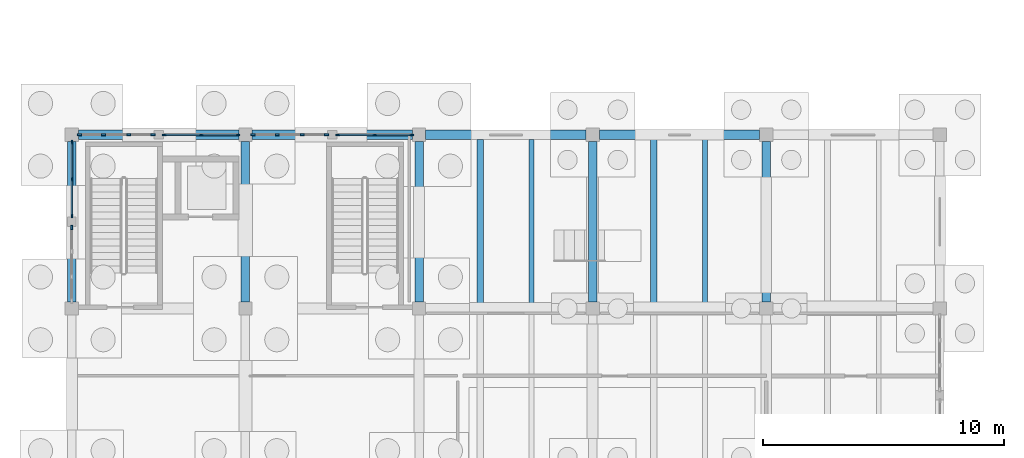
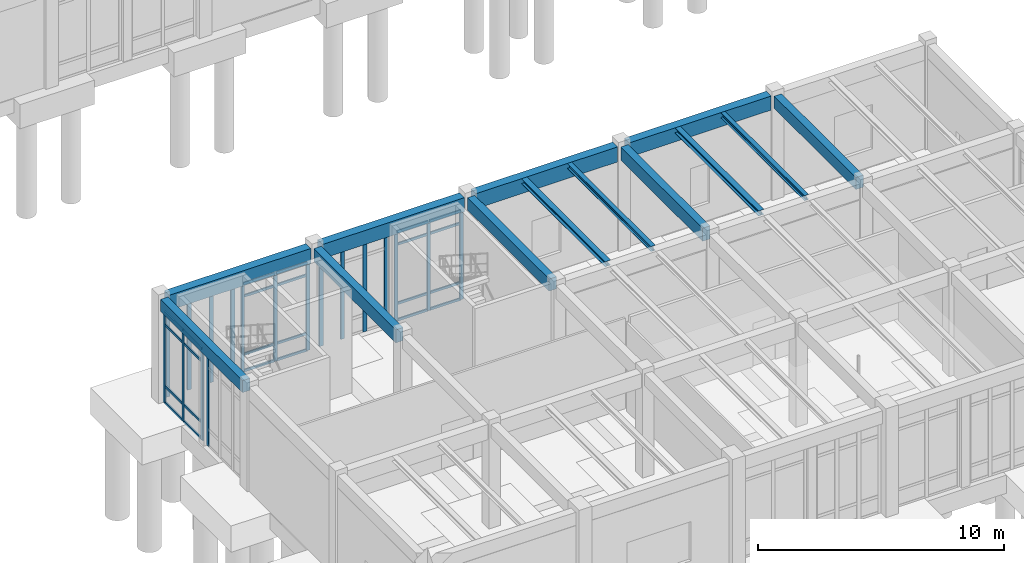
# One storey, part 18 of 93: 42 members, 13 beams, 6 elements without a shape of their own.
"""IFC4 building model written with IfcOpenShell, lengths in metres."""

from ifc_helpers import new_model, si_unit, direction, frame, origin, origin_2d, place, context, subcontext, project, spatial, rectangle, i_section, extrude, material, layer, layer_set, material_profile, profile_set, type_object, element, aggregate, save


model = new_model("IFC4")

# Units and contexts
model_context = context("Model", 3, precision=1e-05, world=origin(), true_north=direction((0.0, 1.0)))
body_context = subcontext(model_context, "Body", "Model", "MODEL_VIEW")
ifc_project = project(units=[si_unit("LENGTHUNIT", "METRE"), si_unit("AREAUNIT", "SQUARE_METRE"), si_unit("VOLUMEUNIT", "CUBIC_METRE"), si_unit("PLANEANGLEUNIT", "RADIAN"), si_unit("MASSUNIT", "GRAM", prefix="KILO")], contexts=[model_context])

# Site, building, storey
site_placement = place(None, origin())
site = spatial("IfcSite", under=ifc_project, at=site_placement, CompositionType="ELEMENT")
building_placement = place(site_placement, origin())
building = spatial("IfcBuilding", under=site, at=building_placement, Name="Koriwan Promenade Central Fire Station", CompositionType="ELEMENT")
storey_placement = place(building_placement, origin())
storey = spatial("IfcBuildingStorey", under=building, at=storey_placement, Name="L00", CompositionType="ELEMENT", Elevation=0.0)

# Beams
ifc_material_1 = material(Name="Concrete C35/45", Category="concrete")
ifc_material_profile_1 = material_profile(ifc_material_1, rectangle(XDim=0.35009765625, YDim=0.60009765625, at=origin_2d()), Name="RC-BM-350x600")
ifc_profile_set_1 = profile_set([ifc_material_profile_1], Name="Concrete C35/45")
beam_type_1 = type_object("IfcBeamType", Name="Beam_RC-BM-350x600", PredefinedType="BEAM", material=ifc_profile_set_1)
for number, where, z_axis, x_axis, name in (
    (1, (0.0, 14.675048828125, 4.85009765625), (0.0, 1.0, 0.0), (-1.0, 0.0, 0.0), "V3 L00 girder Y-232"),
    (2, (14.39990234375, 14.675048828125, 4.85009765625), (0.0, 1.0, 0.0), (-1.0, 0.0, 0.0), "V3 L00 girder Y-238"),
    (3, (28.800048828125, 14.675048828125, 4.85009765625), (0.0, 1.0, 0.0), (-1.0, 0.0, 0.0), "V3 L00 girder Y-244"),
):
    element("IfcBeam", number, at=place(storey_placement, frame(where, z_axis=z_axis, x_axis=x_axis)), inside=storey, type_object=beam_type_1, Name=name, PredefinedType="BEAM", context=body_context, shape_type="SweptSolid", body=[
        extrude(rectangle(XDim=0.35009765625, YDim=0.60009765625, at=origin_2d()), origin(), (0.0, 0.0, 1.0), 6.64990234375),
    ])
ifc_material_profile_2 = material_profile(ifc_material_1, rectangle(XDim=0.35009765625, YDim=0.64990234375, at=origin_2d()), Name="RC-BM-350x650")
ifc_profile_set_2 = profile_set([ifc_material_profile_2], Name="Concrete C35/45")
beam_type_2 = type_object("IfcBeamType", Name="Beam_RC-BM-350x650", PredefinedType="BEAM", material=ifc_profile_set_2)
for number, where, z_axis, x_axis, name in (
    (4, (7.199951171875, 14.675048828125, 4.824951171875), (0.0, 1.0, 0.0), (-1.0, 0.0, 0.0), "V3 L00 girder Y-235"),
    (5, (21.60009765625, 14.675048828125, 4.824951171875), (0.0, 1.0, 0.0), (-1.0, 0.0, 0.0), "V3 L00 girder Y-241"),
):
    element("IfcBeam", number, at=place(storey_placement, frame(where, z_axis=z_axis, x_axis=x_axis)), inside=storey, type_object=beam_type_2, Name=name, PredefinedType="BEAM", context=body_context, shape_type="SweptSolid", body=[
        extrude(rectangle(XDim=0.35009765625, YDim=0.64990234375, at=origin_2d()), origin(), (0.0, 0.0, 1.0), 6.64990234375),
    ])
ifc_material_profile_3 = material_profile(ifc_material_1, rectangle(XDim=0.39990234375, YDim=0.699951171875, at=origin_2d()), Name="RC-BM-400x700")
ifc_profile_set_3 = profile_set([ifc_material_profile_3], Name="Concrete C35/45")
beam_type_3 = type_object("IfcBeamType", Name="Beam_RC-BM-400x700", PredefinedType="BEAM", material=ifc_profile_set_3)
for number, where, z_axis, x_axis, name in (
    (6, (7.47509765625, 21.60009765625, 4.800048828125), (1.0, 0.0, 0.0), (0.0, 1.0, 0.0), "V3 L00 girder X-226"),
    (7, (21.875, 21.60009765625, 4.800048828125), (1.0, 0.0, 0.0), (0.0, 1.0, 0.0), "V3 L00 girder X-228"),
):
    element("IfcBeam", number, at=place(storey_placement, frame(where, z_axis=z_axis, x_axis=x_axis)), inside=storey, type_object=beam_type_3, Name=name, PredefinedType="BEAM", context=body_context, shape_type="SweptSolid", body=[
        extrude(rectangle(XDim=0.39990234375, YDim=0.699951171875, at=origin_2d()), origin(), (0.0, 0.0, 1.0), 6.64990234375),
    ])
ifc_material_profile_4 = material_profile(ifc_material_1, rectangle(XDim=0.39990234375, YDim=0.75, at=origin_2d()), Name="RC-BM-400x750")
ifc_profile_set_4 = profile_set([ifc_material_profile_4], Name="Concrete C35/45")
beam_type_4 = type_object("IfcBeamType", Name="Beam_RC-BM-400x750", PredefinedType="BEAM", material=ifc_profile_set_4)
beam_1_placement = place(storey_placement, frame((0.27490234375, 21.60009765625, 4.77490234375), z_axis=(1.0, 0.0, 0.0), x_axis=(0.0, 1.0, 0.0)))
element("IfcBeam", 8, at=beam_1_placement, inside=storey, type_object=beam_type_4, Name="V3 L00 girder X-225", PredefinedType="BEAM", context=body_context, shape_type="SweptSolid", body=[
    extrude(rectangle(XDim=0.39990234375, YDim=0.75, at=origin_2d()), origin(), (0.0, 0.0, 1.0), 6.650146484375),
])
beam_2_placement = place(storey_placement, frame((14.675048828125, 21.60009765625, 4.77490234375), z_axis=(1.0, 0.0, 0.0), x_axis=(0.0, 1.0, 0.0)))
element("IfcBeam", 9, at=beam_2_placement, inside=storey, type_object=beam_type_4, Name="V3 L00 girder X-227", PredefinedType="BEAM", context=body_context, shape_type="SweptSolid", body=[
    extrude(rectangle(XDim=0.39990234375, YDim=0.75, at=origin_2d()), origin(), (0.0, 0.0, 1.0), 6.64990234375),
])

# Curtain wall, members
ifc_material_2 = material(Name="Aluminium EN AW-6063-T6 and low-E glazing", Category="aluminium")
ifc_layer_1 = layer(ifc_material_2, 0.159912109375, Name="Aluminium EN AW-6063-T6 and low-E glazing")
ifc_layer_set_1 = layer_set([ifc_layer_1], Name="Aluminium EN AW-6063-T6 and low-E glazing")
curtain_wall_type_1 = type_object("IfcCurtainWallType", Name="CurtainWall_20_312x444", PredefinedType="USERDEFINED", material=ifc_layer_set_1)
curtain_wall_1_placement = place(storey_placement, origin())
curtain_wall_1 = element("IfcCurtainWall", 10, at=curtain_wall_1_placement, inside=storey, type_object=curtain_wall_type_1, Name="V3 L00 unitised curtain wall 055", ObjectType="UNITISED CURTAIN WALL", PredefinedType="USERDEFINED")
ifc_material_3 = material(Name="Aluminium EN AW-6063-T6", Category="aluminium")
ifc_material_profile_5 = material_profile(ifc_material_3, rectangle(XDim=0.06494140625, YDim=0.159912109375, at=origin_2d()), Name="ALU-MUL-65x160")
ifc_profile_set_5 = profile_set([ifc_material_profile_5], Name="Aluminium EN AW-6063-T6")
member_type_1 = type_object("IfcMemberType", Name="CWMullion_ALU-MUL-65x160", PredefinedType="MULLION", material=ifc_profile_set_5)
member_1_placement = place(storey_placement, frame((14.092529296875, 21.60009765625, 0.0), z_axis=(0.0, 0.0, 1.0), x_axis=(0.0, -1.0, 0.0)))
member_1 = element("IfcMember", 11, at=member_1_placement, type_object=member_type_1, Name="CW-20 mullion 1", PredefinedType="MULLION", context=body_context, shape_type="SweptSolid", body=[
    extrude(rectangle(XDim=0.06494140625, YDim=0.159912109375, at=origin_2d()), origin(), (0.0, 0.0, 1.0), 4.43994140625),
])
member_2_placement = place(storey_placement, frame((12.5625, 21.60009765625, 0.0), z_axis=(0.0, 0.0, 1.0), x_axis=(0.0, -1.0, 0.0)))
member_2 = element("IfcMember", 12, at=member_2_placement, type_object=member_type_1, Name="CW-20 mullion 2", PredefinedType="MULLION", context=body_context, shape_type="SweptSolid", body=[
    extrude(rectangle(XDim=0.06494140625, YDim=0.159912109375, at=origin_2d()), origin(), (0.0, 0.0, 1.0), 4.43994140625),
])
member_3_placement = place(storey_placement, frame((11.032470703125, 21.60009765625, 0.0), z_axis=(0.0, 0.0, 1.0), x_axis=(0.0, -1.0, 0.0)))
member_3 = element("IfcMember", 13, at=member_3_placement, type_object=member_type_1, Name="CW-20 mullion 3", PredefinedType="MULLION", context=body_context, shape_type="SweptSolid", body=[
    extrude(rectangle(XDim=0.06494140625, YDim=0.159912109375, at=origin_2d()), origin(), (0.0, 0.0, 1.0), 4.43994140625),
])

ifc_layer_2 = layer(ifc_material_2, 0.159912109375, Name="Aluminium EN AW-6063-T6 and low-E glazing")
ifc_layer_set_2 = layer_set([ifc_layer_2], Name="Aluminium EN AW-6063-T6 and low-E glazing")
curtain_wall_type_2 = type_object("IfcCurtainWallType", Name="CurtainWall_22_312x439", PredefinedType="USERDEFINED", material=ifc_layer_set_2)
curtain_wall_2_placement = place(storey_placement, origin())
curtain_wall_2 = element("IfcCurtainWall", 14, at=curtain_wall_2_placement, inside=storey, type_object=curtain_wall_type_2, Name="V3 L00 unitised curtain wall 057", ObjectType="UNITISED CURTAIN WALL", PredefinedType="USERDEFINED")
member_4_placement = place(storey_placement, frame((6.892578125, 21.60009765625, 0.0), z_axis=(0.0, 0.0, 1.0), x_axis=(0.0, -1.0, 0.0)))
member_4 = element("IfcMember", 15, at=member_4_placement, type_object=member_type_1, Name="CW-22 mullion 1", PredefinedType="MULLION", context=body_context, shape_type="SweptSolid", body=[
    extrude(rectangle(XDim=0.06494140625, YDim=0.159912109375, at=origin_2d()), origin(), (0.0, 0.0, 1.0), 4.389892578125),
])
member_5_placement = place(storey_placement, frame((5.362548828125, 21.60009765625, 0.0), z_axis=(0.0, 0.0, 1.0), x_axis=(0.0, -1.0, 0.0)))
member_5 = element("IfcMember", 16, at=member_5_placement, type_object=member_type_1, Name="CW-22 mullion 2", PredefinedType="MULLION", context=body_context, shape_type="SweptSolid", body=[
    extrude(rectangle(XDim=0.06494140625, YDim=0.159912109375, at=origin_2d()), origin(), (0.0, 0.0, 1.0), 4.389892578125),
])
member_6_placement = place(storey_placement, frame((3.83251953125, 21.60009765625, 0.0), z_axis=(0.0, 0.0, 1.0), x_axis=(0.0, -1.0, 0.0)))
member_6 = element("IfcMember", 17, at=member_6_placement, type_object=member_type_1, Name="CW-22 mullion 3", PredefinedType="MULLION", context=body_context, shape_type="SweptSolid", body=[
    extrude(rectangle(XDim=0.06494140625, YDim=0.159912109375, at=origin_2d()), origin(), (0.0, 0.0, 1.0), 4.389892578125),
])

ifc_layer_3 = layer(ifc_material_2, 0.159912109375, Name="Aluminium EN AW-6063-T6 and low-E glazing")
ifc_layer_set_3 = layer_set([ifc_layer_3], Name="Aluminium EN AW-6063-T6 and low-E glazing")
curtain_wall_type_3 = type_object("IfcCurtainWallType", Name="CurtainWall_18_312x454", PredefinedType="USERDEFINED", material=ifc_layer_set_3)
curtain_wall_3_placement = place(storey_placement, origin())
curtain_wall_3 = element("IfcCurtainWall", 18, at=curtain_wall_3_placement, inside=storey, type_object=curtain_wall_type_3, Name="V3 L00 unitised curtain wall 059", ObjectType="UNITISED CURTAIN WALL", PredefinedType="USERDEFINED")
member_7_placement = place(storey_placement, frame((0.0, 21.29248046875, 0.0), z_axis=(0.0, 0.0, 1.0), x_axis=(1.0, 0.0, 0.0)))
member_7 = element("IfcMember", 19, at=member_7_placement, type_object=member_type_1, Name="CW-18 mullion 1", PredefinedType="MULLION", context=body_context, shape_type="SweptSolid", body=[
    extrude(rectangle(XDim=0.06494140625, YDim=0.159912109375, at=origin_2d()), origin(), (0.0, 0.0, 1.0), 4.5400390625),
])
member_8_placement = place(storey_placement, frame((0.0, 19.762451171875, 0.0), z_axis=(0.0, 0.0, 1.0), x_axis=(1.0, 0.0, 0.0)))
member_8 = element("IfcMember", 20, at=member_8_placement, type_object=member_type_1, Name="CW-18 mullion 2", PredefinedType="MULLION", context=body_context, shape_type="SweptSolid", body=[
    extrude(rectangle(XDim=0.06494140625, YDim=0.159912109375, at=origin_2d()), origin(), (0.0, 0.0, 1.0), 4.5400390625),
])
member_9_placement = place(storey_placement, frame((0.0, 18.232421875, 0.0), z_axis=(0.0, 0.0, 1.0), x_axis=(1.0, 0.0, 0.0)))
member_9 = element("IfcMember", 21, at=member_9_placement, type_object=member_type_1, Name="CW-18 mullion 3", PredefinedType="MULLION", context=body_context, shape_type="SweptSolid", body=[
    extrude(rectangle(XDim=0.06494140625, YDim=0.159912109375, at=origin_2d()), origin(), (0.0, 0.0, 1.0), 4.5400390625),
])

ifc_layer_4 = layer(ifc_material_2, 0.159912109375, Name="Aluminium EN AW-6063-T6 and low-E glazing")
ifc_layer_set_4 = layer_set([ifc_layer_4], Name="Aluminium EN AW-6063-T6 and low-E glazing")
curtain_wall_type_4 = type_object("IfcCurtainWallType", Name="CurtainWall_21_312x444", PredefinedType="USERDEFINED", material=ifc_layer_set_4)
curtain_wall_4_placement = place(storey_placement, origin())
curtain_wall_4 = element("IfcCurtainWall", 22, at=curtain_wall_4_placement, inside=storey, type_object=curtain_wall_type_4, Name="V3 L00 unitised curtain wall 056", ObjectType="UNITISED CURTAIN WALL", PredefinedType="USERDEFINED")
ifc_material_profile_6 = material_profile(ifc_material_3, rectangle(XDim=0.074951171875, YDim=0.179931640625, at=origin_2d()), Name="ALU-MUL-75x180")
ifc_profile_set_6 = profile_set([ifc_material_profile_6], Name="Aluminium EN AW-6063-T6")
member_type_2 = type_object("IfcMemberType", Name="CWMullion_ALU-MUL-75x180", PredefinedType="MULLION", material=ifc_profile_set_6)
member_10_placement = place(storey_placement, frame((10.5625, 21.60009765625, 0.0), z_axis=(0.0, 0.0, 1.0), x_axis=(0.0, -1.0, 0.0)))
member_10 = element("IfcMember", 23, at=member_10_placement, type_object=member_type_2, Name="CW-21 mullion 1", PredefinedType="MULLION", context=body_context, shape_type="SweptSolid", body=[
    extrude(rectangle(XDim=0.074951171875, YDim=0.179931640625, at=origin_2d()), origin(), (0.0, 0.0, 1.0), 4.43994140625),
])
member_11_placement = place(storey_placement, frame((9.558349609375, 21.60009765625, 0.0), z_axis=(0.0, 0.0, 1.0), x_axis=(0.0, -1.0, 0.0)))
member_11 = element("IfcMember", 24, at=member_11_placement, type_object=member_type_2, Name="CW-21 mullion 2", PredefinedType="MULLION", context=body_context, shape_type="SweptSolid", body=[
    extrude(rectangle(XDim=0.074951171875, YDim=0.179931640625, at=origin_2d()), origin(), (0.0, 0.0, 1.0), 4.43994140625),
])
member_12_placement = place(storey_placement, frame((8.5166015625, 21.60009765625, 0.0), z_axis=(0.0, 0.0, 1.0), x_axis=(0.0, -1.0, 0.0)))
member_12 = element("IfcMember", 25, at=member_12_placement, type_object=member_type_2, Name="CW-21 mullion 3", PredefinedType="MULLION", context=body_context, shape_type="SweptSolid", body=[
    extrude(rectangle(XDim=0.074951171875, YDim=0.179931640625, at=origin_2d()), origin(), (0.0, 0.0, 1.0), 4.43994140625),
])
member_13_placement = place(storey_placement, frame((7.512451171875, 21.60009765625, 0.0), z_axis=(0.0, 0.0, 1.0), x_axis=(0.0, -1.0, 0.0)))
member_13 = element("IfcMember", 26, at=member_13_placement, type_object=member_type_2, Name="CW-21 mullion 4", PredefinedType="MULLION", context=body_context, shape_type="SweptSolid", body=[
    extrude(rectangle(XDim=0.074951171875, YDim=0.179931640625, at=origin_2d()), origin(), (0.0, 0.0, 1.0), 4.43994140625),
])
aggregate(curtain_wall_4, [member_10, member_11, member_12, member_13])

ifc_layer_5 = layer(ifc_material_2, 0.159912109375, Name="Aluminium EN AW-6063-T6 and low-E glazing")
ifc_layer_set_5 = layer_set([ifc_layer_5], Name="Aluminium EN AW-6063-T6 and low-E glazing")
curtain_wall_type_5 = type_object("IfcCurtainWallType", Name="CurtainWall_23_312x439", PredefinedType="USERDEFINED", material=ifc_layer_set_5)
curtain_wall_5_placement = place(storey_placement, origin())
curtain_wall_5 = element("IfcCurtainWall", 27, at=curtain_wall_5_placement, inside=storey, type_object=curtain_wall_type_5, Name="V3 L00 unitised curtain wall 058", ObjectType="UNITISED CURTAIN WALL", PredefinedType="USERDEFINED")
member_14_placement = place(storey_placement, frame((3.362548828125, 21.60009765625, 0.0), z_axis=(0.0, 0.0, 1.0), x_axis=(0.0, -1.0, 0.0)))
member_14 = element("IfcMember", 28, at=member_14_placement, type_object=member_type_2, Name="CW-23 mullion 1", PredefinedType="MULLION", context=body_context, shape_type="SweptSolid", body=[
    extrude(rectangle(XDim=0.074951171875, YDim=0.179931640625, at=origin_2d()), origin(), (0.0, 0.0, 1.0), 4.389892578125),
])
member_15_placement = place(storey_placement, frame((2.3583984375, 21.60009765625, 0.0), z_axis=(0.0, 0.0, 1.0), x_axis=(0.0, -1.0, 0.0)))
member_15 = element("IfcMember", 29, at=member_15_placement, type_object=member_type_2, Name="CW-23 mullion 2", PredefinedType="MULLION", context=body_context, shape_type="SweptSolid", body=[
    extrude(rectangle(XDim=0.074951171875, YDim=0.179931640625, at=origin_2d()), origin(), (0.0, 0.0, 1.0), 4.389892578125),
])
member_16_placement = place(storey_placement, frame((1.316650390625, 21.60009765625, 0.0), z_axis=(0.0, 0.0, 1.0), x_axis=(0.0, -1.0, 0.0)))
member_16 = element("IfcMember", 30, at=member_16_placement, type_object=member_type_2, Name="CW-23 mullion 3", PredefinedType="MULLION", context=body_context, shape_type="SweptSolid", body=[
    extrude(rectangle(XDim=0.074951171875, YDim=0.179931640625, at=origin_2d()), origin(), (0.0, 0.0, 1.0), 4.389892578125),
])
member_17_placement = place(storey_placement, frame((0.3125, 21.60009765625, 0.0), z_axis=(0.0, 0.0, 1.0), x_axis=(0.0, -1.0, 0.0)))
member_17 = element("IfcMember", 31, at=member_17_placement, type_object=member_type_2, Name="CW-23 mullion 4", PredefinedType="MULLION", context=body_context, shape_type="SweptSolid", body=[
    extrude(rectangle(XDim=0.074951171875, YDim=0.179931640625, at=origin_2d()), origin(), (0.0, 0.0, 1.0), 4.389892578125),
])
aggregate(curtain_wall_5, [member_14, member_15, member_16, member_17])

# Curtain wall, member
ifc_layer_6 = layer(ifc_material_2, 0.159912109375, Name="Aluminium EN AW-6063-T6 and low-E glazing")
ifc_layer_set_6 = layer_set([ifc_layer_6], Name="Aluminium EN AW-6063-T6 and low-E glazing")
curtain_wall_type_6 = type_object("IfcCurtainWallType", Name="CurtainWall_19_312x454", PredefinedType="USERDEFINED", material=ifc_layer_set_6)
curtain_wall_6_placement = place(storey_placement, origin())
curtain_wall_6 = element("IfcCurtainWall", 32, at=curtain_wall_6_placement, inside=storey, type_object=curtain_wall_type_6, Name="V3 L00 unitised curtain wall 060", ObjectType="UNITISED CURTAIN WALL", PredefinedType="USERDEFINED")
member_18_placement = place(storey_placement, frame((0.0, 17.762451171875, 0.0), z_axis=(0.0, 0.0, 1.0), x_axis=(1.0, 0.0, 0.0)))
member_18 = element("IfcMember", 33, at=member_18_placement, type_object=member_type_2, Name="CW-19 mullion 1", PredefinedType="MULLION", context=body_context, shape_type="SweptSolid", body=[
    extrude(rectangle(XDim=0.074951171875, YDim=0.179931640625, at=origin_2d()), origin(), (0.0, 0.0, 1.0), 4.5400390625),
])
aggregate(curtain_wall_6, [member_18])

# Member
ifc_material_profile_7 = material_profile(ifc_material_3, rectangle(XDim=0.06494140625, YDim=0.1201171875, at=origin_2d()), Name="ALU-TRN-65x120")
ifc_profile_set_7 = profile_set([ifc_material_profile_7], Name="Aluminium EN AW-6063-T6")
member_type_3 = type_object("IfcMemberType", Name="CWTransom_ALU-TRN-65x120", PredefinedType="USERDEFINED", material=ifc_profile_set_7)
member_19_placement = place(storey_placement, frame((14.06005859375, 21.60009765625, 0.032470703125), z_axis=(-1.0, 0.0, 0.0), x_axis=(0.0, -1.0, 0.0)))
member_19 = element("IfcMember", 34, at=member_19_placement, type_object=member_type_3, Name="CW-20 transom 1.1", ObjectType="TRANSOM", PredefinedType="USERDEFINED", context=body_context, shape_type="SweptSolid", body=[
    extrude(rectangle(XDim=0.06494140625, YDim=0.1201171875, at=origin_2d()), origin(), (0.0, 0.0, 1.0), 1.465087890625),
])

member_20_placement = place(storey_placement, frame((14.06005859375, 21.60009765625, 0.85009765625), z_axis=(-1.0, 0.0, 0.0), x_axis=(0.0, -1.0, 0.0)))
member_20 = element("IfcMember", 35, at=member_20_placement, type_object=member_type_3, Name="CW-20 transom 1.2", ObjectType="TRANSOM", PredefinedType="USERDEFINED", context=body_context, shape_type="SweptSolid", body=[
    extrude(rectangle(XDim=0.06494140625, YDim=0.1201171875, at=origin_2d()), origin(), (0.0, 0.0, 1.0), 1.465087890625),
])

member_21_placement = place(storey_placement, frame((14.06005859375, 21.60009765625, 3.7900390625), z_axis=(-1.0, 0.0, 0.0), x_axis=(0.0, -1.0, 0.0)))
member_21 = element("IfcMember", 36, at=member_21_placement, type_object=member_type_3, Name="CW-20 transom 1.3", ObjectType="TRANSOM", PredefinedType="USERDEFINED", context=body_context, shape_type="SweptSolid", body=[
    extrude(rectangle(XDim=0.06494140625, YDim=0.1201171875, at=origin_2d()), origin(), (0.0, 0.0, 1.0), 1.465087890625),
])

member_22_placement = place(storey_placement, frame((14.06005859375, 21.60009765625, 4.407470703125), z_axis=(-1.0, 0.0, 0.0), x_axis=(0.0, -1.0, 0.0)))
member_22 = element("IfcMember", 37, at=member_22_placement, type_object=member_type_3, Name="CW-20 transom 1.4", ObjectType="TRANSOM", PredefinedType="USERDEFINED", context=body_context, shape_type="SweptSolid", body=[
    extrude(rectangle(XDim=0.06494140625, YDim=0.1201171875, at=origin_2d()), origin(), (0.0, 0.0, 1.0), 1.465087890625),
])

member_23_placement = place(storey_placement, frame((12.530029296875, 21.60009765625, 0.032470703125), z_axis=(-1.0, 0.0, 0.0), x_axis=(0.0, -1.0, 0.0)))
member_23 = element("IfcMember", 38, at=member_23_placement, type_object=member_type_3, Name="CW-20 transom 2.1", ObjectType="TRANSOM", PredefinedType="USERDEFINED", context=body_context, shape_type="SweptSolid", body=[
    extrude(rectangle(XDim=0.06494140625, YDim=0.1201171875, at=origin_2d()), origin(), (0.0, 0.0, 1.0), 1.465087890625),
])

member_24_placement = place(storey_placement, frame((12.530029296875, 21.60009765625, 0.85009765625), z_axis=(-1.0, 0.0, 0.0), x_axis=(0.0, -1.0, 0.0)))
member_24 = element("IfcMember", 39, at=member_24_placement, type_object=member_type_3, Name="CW-20 transom 2.2", ObjectType="TRANSOM", PredefinedType="USERDEFINED", context=body_context, shape_type="SweptSolid", body=[
    extrude(rectangle(XDim=0.06494140625, YDim=0.1201171875, at=origin_2d()), origin(), (0.0, 0.0, 1.0), 1.465087890625),
])

member_25_placement = place(storey_placement, frame((12.530029296875, 21.60009765625, 3.7900390625), z_axis=(-1.0, 0.0, 0.0), x_axis=(0.0, -1.0, 0.0)))
member_25 = element("IfcMember", 40, at=member_25_placement, type_object=member_type_3, Name="CW-20 transom 2.3", ObjectType="TRANSOM", PredefinedType="USERDEFINED", context=body_context, shape_type="SweptSolid", body=[
    extrude(rectangle(XDim=0.06494140625, YDim=0.1201171875, at=origin_2d()), origin(), (0.0, 0.0, 1.0), 1.465087890625),
])

member_26_placement = place(storey_placement, frame((12.530029296875, 21.60009765625, 4.407470703125), z_axis=(-1.0, 0.0, 0.0), x_axis=(0.0, -1.0, 0.0)))
member_26 = element("IfcMember", 41, at=member_26_placement, type_object=member_type_3, Name="CW-20 transom 2.4", ObjectType="TRANSOM", PredefinedType="USERDEFINED", context=body_context, shape_type="SweptSolid", body=[
    extrude(rectangle(XDim=0.06494140625, YDim=0.1201171875, at=origin_2d()), origin(), (0.0, 0.0, 1.0), 1.465087890625),
])

aggregate(curtain_wall_1, [member_1, member_2, member_3, member_19, member_20, member_21, member_22, member_23, member_24, member_25, member_26])

member_27_placement = place(storey_placement, frame((6.860107421875, 21.60009765625, 0.032470703125), z_axis=(-1.0, 0.0, 0.0), x_axis=(0.0, -1.0, 0.0)))
member_27 = element("IfcMember", 42, at=member_27_placement, type_object=member_type_3, Name="CW-22 transom 1.1", ObjectType="TRANSOM", PredefinedType="USERDEFINED", context=body_context, shape_type="SweptSolid", body=[
    extrude(rectangle(XDim=0.06494140625, YDim=0.1201171875, at=origin_2d()), origin(), (0.0, 0.0, 1.0), 1.465087890625),
])

member_28_placement = place(storey_placement, frame((6.860107421875, 21.60009765625, 0.85009765625), z_axis=(-1.0, 0.0, 0.0), x_axis=(0.0, -1.0, 0.0)))
member_28 = element("IfcMember", 43, at=member_28_placement, type_object=member_type_3, Name="CW-22 transom 1.2", ObjectType="TRANSOM", PredefinedType="USERDEFINED", context=body_context, shape_type="SweptSolid", body=[
    extrude(rectangle(XDim=0.06494140625, YDim=0.1201171875, at=origin_2d()), origin(), (0.0, 0.0, 1.0), 1.465087890625),
])

member_29_placement = place(storey_placement, frame((6.860107421875, 21.60009765625, 3.739990234375), z_axis=(-1.0, 0.0, 0.0), x_axis=(0.0, -1.0, 0.0)))
member_29 = element("IfcMember", 44, at=member_29_placement, type_object=member_type_3, Name="CW-22 transom 1.3", ObjectType="TRANSOM", PredefinedType="USERDEFINED", context=body_context, shape_type="SweptSolid", body=[
    extrude(rectangle(XDim=0.06494140625, YDim=0.1201171875, at=origin_2d()), origin(), (0.0, 0.0, 1.0), 1.465087890625),
])

member_30_placement = place(storey_placement, frame((6.860107421875, 21.60009765625, 4.357421875), z_axis=(-1.0, 0.0, 0.0), x_axis=(0.0, -1.0, 0.0)))
member_30 = element("IfcMember", 45, at=member_30_placement, type_object=member_type_3, Name="CW-22 transom 1.4", ObjectType="TRANSOM", PredefinedType="USERDEFINED", context=body_context, shape_type="SweptSolid", body=[
    extrude(rectangle(XDim=0.06494140625, YDim=0.1201171875, at=origin_2d()), origin(), (0.0, 0.0, 1.0), 1.465087890625),
])

member_31_placement = place(storey_placement, frame((5.330078125, 21.60009765625, 0.032470703125), z_axis=(-1.0, 0.0, 0.0), x_axis=(0.0, -1.0, 0.0)))
member_31 = element("IfcMember", 46, at=member_31_placement, type_object=member_type_3, Name="CW-22 transom 2.1", ObjectType="TRANSOM", PredefinedType="USERDEFINED", context=body_context, shape_type="SweptSolid", body=[
    extrude(rectangle(XDim=0.06494140625, YDim=0.1201171875, at=origin_2d()), origin(), (0.0, 0.0, 1.0), 1.465087890625),
])

member_32_placement = place(storey_placement, frame((5.330078125, 21.60009765625, 0.85009765625), z_axis=(-1.0, 0.0, 0.0), x_axis=(0.0, -1.0, 0.0)))
member_32 = element("IfcMember", 47, at=member_32_placement, type_object=member_type_3, Name="CW-22 transom 2.2", ObjectType="TRANSOM", PredefinedType="USERDEFINED", context=body_context, shape_type="SweptSolid", body=[
    extrude(rectangle(XDim=0.06494140625, YDim=0.1201171875, at=origin_2d()), origin(), (0.0, 0.0, 1.0), 1.465087890625),
])

member_33_placement = place(storey_placement, frame((5.330078125, 21.60009765625, 3.739990234375), z_axis=(-1.0, 0.0, 0.0), x_axis=(0.0, -1.0, 0.0)))
member_33 = element("IfcMember", 48, at=member_33_placement, type_object=member_type_3, Name="CW-22 transom 2.3", ObjectType="TRANSOM", PredefinedType="USERDEFINED", context=body_context, shape_type="SweptSolid", body=[
    extrude(rectangle(XDim=0.06494140625, YDim=0.1201171875, at=origin_2d()), origin(), (0.0, 0.0, 1.0), 1.465087890625),
])

member_34_placement = place(storey_placement, frame((5.330078125, 21.60009765625, 4.357421875), z_axis=(-1.0, 0.0, 0.0), x_axis=(0.0, -1.0, 0.0)))
member_34 = element("IfcMember", 49, at=member_34_placement, type_object=member_type_3, Name="CW-22 transom 2.4", ObjectType="TRANSOM", PredefinedType="USERDEFINED", context=body_context, shape_type="SweptSolid", body=[
    extrude(rectangle(XDim=0.06494140625, YDim=0.1201171875, at=origin_2d()), origin(), (0.0, 0.0, 1.0), 1.465087890625),
])

aggregate(curtain_wall_2, [member_4, member_5, member_6, member_27, member_28, member_29, member_30, member_31, member_32, member_33, member_34])

member_35_placement = place(storey_placement, frame((0.0, 21.260009765625, 0.032470703125), z_axis=(0.0, -1.0, 0.0), x_axis=(1.0, 0.0, 0.0)))
member_35 = element("IfcMember", 50, at=member_35_placement, type_object=member_type_3, Name="CW-18 transom 1.1", ObjectType="TRANSOM", PredefinedType="USERDEFINED", context=body_context, shape_type="SweptSolid", body=[
    extrude(rectangle(XDim=0.06494140625, YDim=0.1201171875, at=origin_2d()), origin(), (0.0, 0.0, 1.0), 1.465087890625),
])

member_36_placement = place(storey_placement, frame((0.0, 21.260009765625, 0.85009765625), z_axis=(0.0, -1.0, 0.0), x_axis=(1.0, 0.0, 0.0)))
member_36 = element("IfcMember", 51, at=member_36_placement, type_object=member_type_3, Name="CW-18 transom 1.2", ObjectType="TRANSOM", PredefinedType="USERDEFINED", context=body_context, shape_type="SweptSolid", body=[
    extrude(rectangle(XDim=0.06494140625, YDim=0.1201171875, at=origin_2d()), origin(), (0.0, 0.0, 1.0), 1.465087890625),
])

member_37_placement = place(storey_placement, frame((0.0, 21.260009765625, 3.889892578125), z_axis=(0.0, -1.0, 0.0), x_axis=(1.0, 0.0, 0.0)))
member_37 = element("IfcMember", 52, at=member_37_placement, type_object=member_type_3, Name="CW-18 transom 1.3", ObjectType="TRANSOM", PredefinedType="USERDEFINED", context=body_context, shape_type="SweptSolid", body=[
    extrude(rectangle(XDim=0.06494140625, YDim=0.1201171875, at=origin_2d()), origin(), (0.0, 0.0, 1.0), 1.465087890625),
])

member_38_placement = place(storey_placement, frame((0.0, 21.260009765625, 4.507568359375), z_axis=(0.0, -1.0, 0.0), x_axis=(1.0, 0.0, 0.0)))
member_38 = element("IfcMember", 53, at=member_38_placement, type_object=member_type_3, Name="CW-18 transom 1.4", ObjectType="TRANSOM", PredefinedType="USERDEFINED", context=body_context, shape_type="SweptSolid", body=[
    extrude(rectangle(XDim=0.06494140625, YDim=0.1201171875, at=origin_2d()), origin(), (0.0, 0.0, 1.0), 1.465087890625),
])

member_39_placement = place(storey_placement, frame((0.0, 19.72998046875, 0.032470703125), z_axis=(0.0, -1.0, 0.0), x_axis=(1.0, 0.0, 0.0)))
member_39 = element("IfcMember", 54, at=member_39_placement, type_object=member_type_3, Name="CW-18 transom 2.1", ObjectType="TRANSOM", PredefinedType="USERDEFINED", context=body_context, shape_type="SweptSolid", body=[
    extrude(rectangle(XDim=0.06494140625, YDim=0.1201171875, at=origin_2d()), origin(), (0.0, 0.0, 1.0), 1.465087890625),
])

member_40_placement = place(storey_placement, frame((0.0, 19.72998046875, 0.85009765625), z_axis=(0.0, -1.0, 0.0), x_axis=(1.0, 0.0, 0.0)))
member_40 = element("IfcMember", 55, at=member_40_placement, type_object=member_type_3, Name="CW-18 transom 2.2", ObjectType="TRANSOM", PredefinedType="USERDEFINED", context=body_context, shape_type="SweptSolid", body=[
    extrude(rectangle(XDim=0.06494140625, YDim=0.1201171875, at=origin_2d()), origin(), (0.0, 0.0, 1.0), 1.465087890625),
])

member_41_placement = place(storey_placement, frame((0.0, 19.72998046875, 3.889892578125), z_axis=(0.0, -1.0, 0.0), x_axis=(1.0, 0.0, 0.0)))
member_41 = element("IfcMember", 56, at=member_41_placement, type_object=member_type_3, Name="CW-18 transom 2.3", ObjectType="TRANSOM", PredefinedType="USERDEFINED", context=body_context, shape_type="SweptSolid", body=[
    extrude(rectangle(XDim=0.06494140625, YDim=0.1201171875, at=origin_2d()), origin(), (0.0, 0.0, 1.0), 1.465087890625),
])

member_42_placement = place(storey_placement, frame((0.0, 19.72998046875, 4.507568359375), z_axis=(0.0, -1.0, 0.0), x_axis=(1.0, 0.0, 0.0)))
member_42 = element("IfcMember", 57, at=member_42_placement, type_object=member_type_3, Name="CW-18 transom 2.4", ObjectType="TRANSOM", PredefinedType="USERDEFINED", context=body_context, shape_type="SweptSolid", body=[
    extrude(rectangle(XDim=0.06494140625, YDim=0.1201171875, at=origin_2d()), origin(), (0.0, 0.0, 1.0), 1.465087890625),
])

aggregate(curtain_wall_3, [member_7, member_8, member_9, member_35, member_36, member_37, member_38, member_39, member_40, member_41, member_42])

# Beams
ifc_material_4 = material(Name="Steel ASTM A992 Grade 50", Category="steel")
ifc_material_profile_8 = material_profile(ifc_material_4, i_section(OverallWidth=0.202880859375, OverallDepth=0.251953125, WebThickness=0.008056640625, FlangeThickness=0.013427734375, FilletRadius=0.012939453125, at=origin_2d()), Name="W250x58")
ifc_profile_set_8 = profile_set([ifc_material_profile_8], Name="Steel ASTM A992 Grade 50")
beam_type_5 = type_object("IfcBeamType", Name="SteelBeam_W250x58", PredefinedType="JOIST", material=ifc_profile_set_8)
for number, where, z_axis, x_axis, name in (
    (58, (19.06396484375, 14.60009765625, 5.02392578125), (0.0, 1.0, 0.0), (-1.0, 0.0, 0.0), "V3 L00 secondary joist 265"),
    (59, (26.263916015625, 14.60009765625, 5.02392578125), (0.0, 1.0, 0.0), (-1.0, 0.0, 0.0), "V3 L00 secondary joist 267"),
):
    element("IfcBeam", number, at=place(storey_placement, frame(where, z_axis=z_axis, x_axis=x_axis)), inside=storey, type_object=beam_type_5, Name=name, PredefinedType="JOIST", context=body_context, shape_type="SweptSolid", body=[
        extrude(i_section(OverallWidth=0.202880859375, OverallDepth=0.251953125, WebThickness=0.008056640625, FlangeThickness=0.013427734375, FilletRadius=0.012939453125, at=origin_2d()), origin(), (0.0, 0.0, 1.0), 6.7998046875),
    ])
ifc_material_profile_9 = material_profile(ifc_material_4, i_section(OverallWidth=0.25390625, OverallDepth=0.2529296875, WebThickness=0.008544921875, FlangeThickness=0.01416015625, FilletRadius=0.012939453125, at=origin_2d()), Name="W250x73")
ifc_profile_set_9 = profile_set([ifc_material_profile_9], Name="Steel ASTM A992 Grade 50")
beam_type_6 = type_object("IfcBeamType", Name="SteelBeam_W250x73", PredefinedType="JOIST", material=ifc_profile_set_9)
for number, where, z_axis, x_axis, name in (
    (60, (16.93603515625, 14.60009765625, 5.0234375), (0.0, 1.0, 0.0), (-1.0, 0.0, 0.0), "V3 L00 secondary joist 264"),
    (61, (24.135986328125, 14.60009765625, 5.0234375), (0.0, 1.0, 0.0), (-1.0, 0.0, 0.0), "V3 L00 secondary joist 266"),
):
    element("IfcBeam", number, at=place(storey_placement, frame(where, z_axis=z_axis, x_axis=x_axis)), inside=storey, type_object=beam_type_6, Name=name, PredefinedType="JOIST", context=body_context, shape_type="SweptSolid", body=[
        extrude(i_section(OverallWidth=0.25390625, OverallDepth=0.2529296875, WebThickness=0.008544921875, FlangeThickness=0.01416015625, FilletRadius=0.012939453125, at=origin_2d()), origin(), (0.0, 0.0, 1.0), 6.7998046875),
    ])

save(model, "model.ifc")
